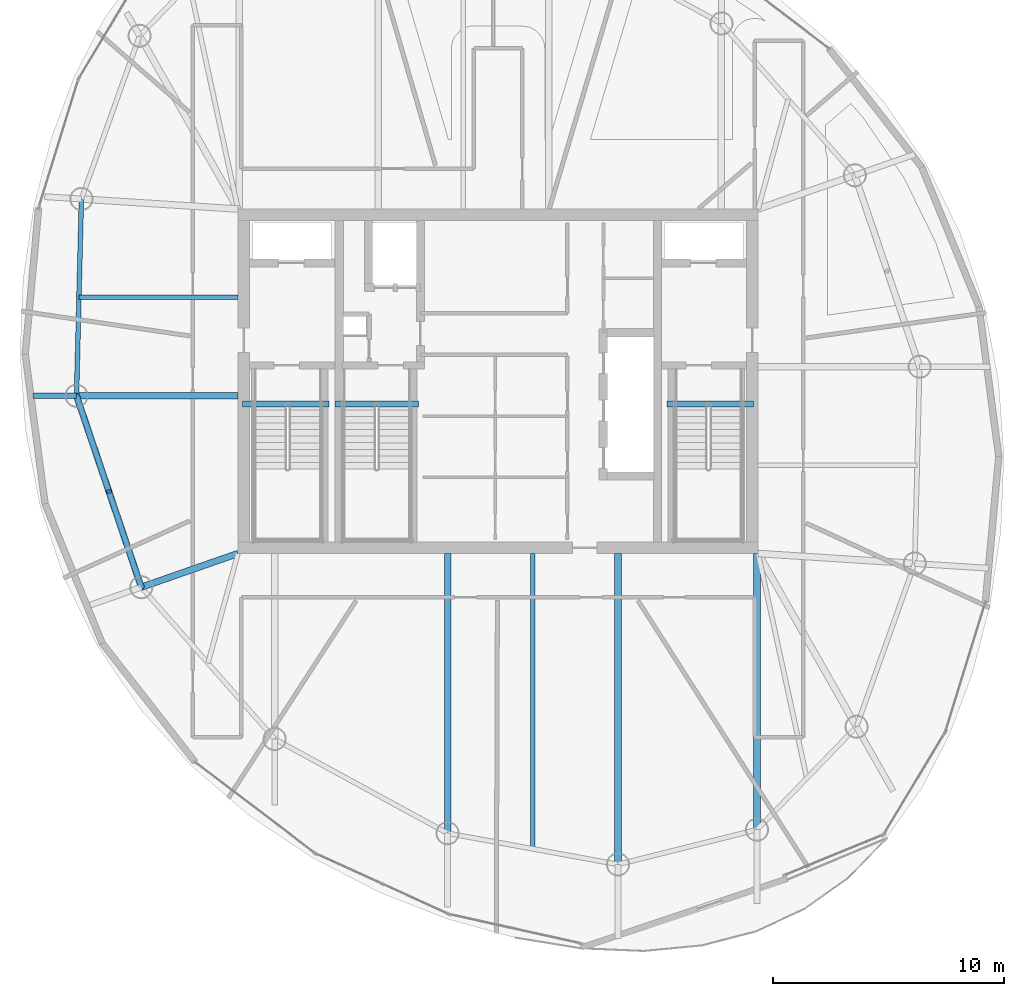
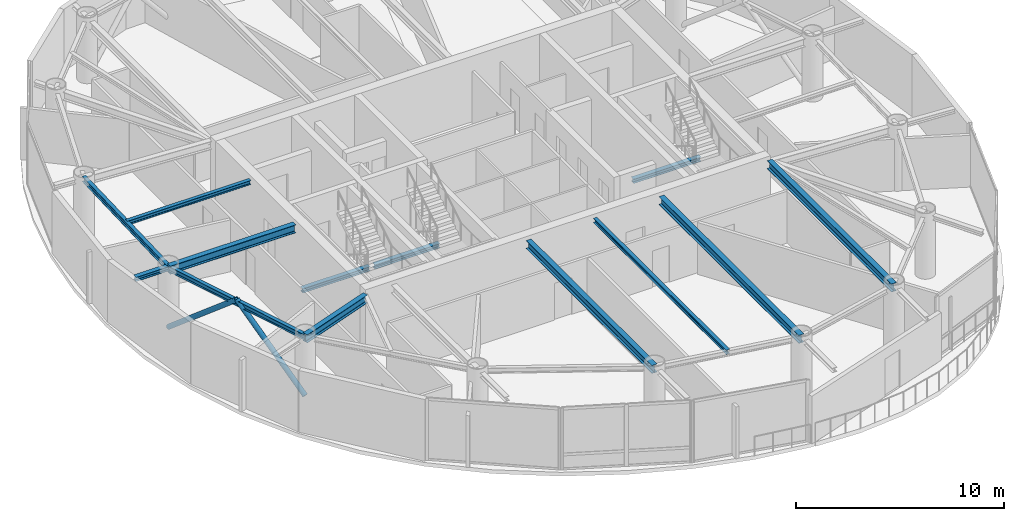
# One storey, part 5 of 19: 13 beams, 2 members.
"""IFC4 building model written with IfcOpenShell, lengths in metres."""

from ifc_helpers import new_model, si_unit, direction, frame, origin, origin_2d, place, context, subcontext, project, spatial, hollow_circle, i_section, extrude, material, material_profile, profile_set, type_object, element, save


model = new_model("IFC4")

# Units and contexts
model_context = context("Model", 3, precision=1e-05, world=origin(), true_north=direction((0.0, 1.0)))
body_context = subcontext(model_context, "Body", "Model", "MODEL_VIEW")
ifc_project = project(units=[si_unit("LENGTHUNIT", "METRE"), si_unit("AREAUNIT", "SQUARE_METRE"), si_unit("VOLUMEUNIT", "CUBIC_METRE"), si_unit("PLANEANGLEUNIT", "RADIAN"), si_unit("MASSUNIT", "GRAM", prefix="KILO")], contexts=[model_context])

# Site, building, storey
site_placement = place(None, origin())
site = spatial("IfcSite", under=ifc_project, at=site_placement, CompositionType="ELEMENT")
building_placement = place(site_placement, origin())
building = spatial("IfcBuilding", under=site, at=building_placement, Name="Bramvorn Convention Spire", CompositionType="ELEMENT")
storey_placement = place(building_placement, frame((0.0, 0.0, 272.85009765625)))
storey = spatial("IfcBuildingStorey", under=building, at=storey_placement, Name="L69", CompositionType="ELEMENT", Elevation=272.85009765625)

# Beams
ifc_material = material(Name="Steel CSA G40.21 Grade 350 (350W)", Category="steel")
ifc_material_profile_1 = material_profile(ifc_material, i_section(OverallWidth=0.201904296875, OverallDepth=0.2470703125, WebThickness=0.00732421875, FlangeThickness=0.010986328125, FilletRadius=0.011962890625, at=origin_2d()))
ifc_profile_set_1 = profile_set([ifc_material_profile_1], Name="Steel CSA G40.21 Grade 350 (350W) - W250X49")
beam_type_1 = type_object("IfcBeamType", Name="BM-W250X49", PredefinedType="JOIST", material=ifc_profile_set_1)
beam_1_placement = place(storey_placement, frame((26.75, 29.626953125, 3.50146484375), z_axis=(-1.0, 0.0, 0.0), x_axis=(0.0, -1.0, 0.0)))
element("IfcBeam", 1, at=beam_1_placement, inside=storey, type_object=beam_type_1, Name="L69 composite floor joist 11", PredefinedType="JOIST", context=body_context, shape_type="SweptSolid", body=[
    extrude(i_section(OverallWidth=0.201904296875, OverallDepth=0.2470703125, WebThickness=0.00732421875, FlangeThickness=0.010986328125, FilletRadius=0.011962890625, at=origin_2d()), origin(), (0.0, 0.0, 1.0), 6.879150390625),
])
beam_2_placement = place(storey_placement, frame((39.501953125, 18.550048828125, 3.50146484375), z_axis=(0.0, -1.0, 0.0), x_axis=(1.0, 0.0, 0.0)))
element("IfcBeam", 2, at=beam_2_placement, inside=storey, type_object=beam_type_1, Name="L69 composite floor joist 15", PredefinedType="JOIST", context=body_context, shape_type="SweptSolid", body=[
    extrude(i_section(OverallWidth=0.201904296875, OverallDepth=0.2470703125, WebThickness=0.00732421875, FlangeThickness=0.010986328125, FilletRadius=0.011962890625, at=origin_2d()), origin(), (0.0, 0.0, 1.0), 12.77587890625),
])
ifc_material_profile_2 = material_profile(ifc_material, i_section(OverallWidth=0.25390625, OverallDepth=0.2529296875, WebThickness=0.008544921875, FlangeThickness=0.01416015625, FilletRadius=0.011962890625, at=origin_2d()))
ifc_profile_set_2 = profile_set([ifc_material_profile_2], Name="Steel CSA G40.21 Grade 350 (350W) - W250X73")
beam_type_2 = type_object("IfcBeamType", Name="BM-W250X73", PredefinedType="BEAM", material=ifc_profile_set_2)
beam_3_placement = place(storey_placement, frame((19.765380859375, 25.37060546875, 3.498291015625), z_axis=(-1.0, 0.0, 0.0), x_axis=(0.0, -1.0, 0.0)))
element("IfcBeam", 3, at=beam_3_placement, inside=storey, type_object=beam_type_2, Name="L69 slab-edge cantilever tip beam MC12", PredefinedType="BEAM", context=body_context, shape_type="SweptSolid", body=[
    extrude(i_section(OverallWidth=0.25390625, OverallDepth=0.2529296875, WebThickness=0.008544921875, FlangeThickness=0.01416015625, FilletRadius=0.011962890625, at=origin_2d()), origin(), (0.0, 0.0, 1.0), 1.88134765625),
])
for number, where, z_axis, x_axis, name in (
    (4, (26.949951171875, 25.010009765625, -0.126708984375), (1.0, 0.0, 0.0), (0.0, 1.0, 0.0), "L69 ST1 stair arrival header beam"),
    (5, (45.31005859375, 25.010009765625, -0.126708984375), (1.0, 0.0, 0.0), (0.0, 1.0, 0.0), "L69 ST2 stair arrival header beam"),
):
    element("IfcBeam", number, at=place(storey_placement, frame(where, z_axis=z_axis, x_axis=x_axis)), inside=storey, type_object=beam_type_2, Name=name, PredefinedType="BEAM", context=body_context, shape_type="SweptSolid", body=[
        extrude(i_section(OverallWidth=0.25390625, OverallDepth=0.2529296875, WebThickness=0.008544921875, FlangeThickness=0.01416015625, FilletRadius=0.011962890625, at=origin_2d()), origin(), (0.0, 0.0, 1.0), 3.739990234375),
    ])
beam_4_placement = place(storey_placement, frame((30.949951171875, 25.010009765625, -0.126708984375), z_axis=(1.0, 0.0, 0.0), x_axis=(0.0, 1.0, 0.0)))
element("IfcBeam", 6, at=beam_4_placement, inside=storey, type_object=beam_type_2, Name="L69 ST3 stair arrival header beam", PredefinedType="BEAM", context=body_context, shape_type="SweptSolid", body=[
    extrude(i_section(OverallWidth=0.25390625, OverallDepth=0.2529296875, WebThickness=0.008544921875, FlangeThickness=0.01416015625, FilletRadius=0.011962890625, at=origin_2d()), origin(), (0.0, 0.0, 1.0), 3.610107421875),
])
ifc_material_profile_3 = material_profile(ifc_material, i_section(OverallWidth=0.202880859375, OverallDepth=0.302978515625, WebThickness=0.007568359375, FlangeThickness=0.01318359375, FilletRadius=0.013916015625, at=origin_2d()))
ifc_profile_set_3 = profile_set([ifc_material_profile_3], Name="Steel CSA G40.21 Grade 350 (350W) - W310X60")
beam_type_3 = type_object("IfcBeamType", Name="BM-W310X60", PredefinedType="JOIST", material=ifc_profile_set_3)
beam_5_placement = place(storey_placement, frame((19.976318359375, 33.883544921875, 3.473388671875), z_axis=(-0.024770853371, -0.999693155335, 0.0), x_axis=(0.999693155335, -0.024770853371, 0.0)))
element("IfcBeam", 7, at=beam_5_placement, inside=storey, type_object=beam_type_3, Name="L69 mega-column ring beam 11", PredefinedType="JOIST", context=body_context, shape_type="SweptSolid", body=[
    extrude(i_section(OverallWidth=0.202880859375, OverallDepth=0.302978515625, WebThickness=0.007568359375, FlangeThickness=0.01318359375, FilletRadius=0.013916015625, at=origin_2d()), origin(), (0.0, 0.0, 1.0), 8.515625),
])
beam_6_placement = place(storey_placement, frame((19.765380859375, 25.37060546875, 3.473388671875), z_axis=(0.320531023763, -0.947238018032, 0.0), x_axis=(0.947238018032, 0.320531023763, 0.0)))
element("IfcBeam", 8, at=beam_6_placement, inside=storey, type_object=beam_type_3, Name="L69 mega-column ring beam 12", PredefinedType="JOIST", context=body_context, shape_type="SweptSolid", body=[
    extrude(i_section(OverallWidth=0.202880859375, OverallDepth=0.302978515625, WebThickness=0.007568359375, FlangeThickness=0.01318359375, FilletRadius=0.013916015625, at=origin_2d()), origin(), (0.0, 0.0, 1.0), 8.74169921875),
])
ifc_material_profile_4 = material_profile(ifc_material, i_section(OverallWidth=0.283935546875, OverallDepth=0.47607421875, WebThickness=0.014892578125, FlangeThickness=0.02392578125, FilletRadius=0.01806640625, at=origin_2d()))
ifc_profile_set_4 = profile_set([ifc_material_profile_4], Name="Steel CSA G40.21 Grade 350 (350W) - W460X158")
beam_type_4 = type_object("IfcBeamType", Name="BM-W460X158", PredefinedType="SPANDREL", material=ifc_profile_set_4)
beam_7_placement = place(storey_placement, frame((49.199951171875, 18.550048828125, 3.386962890625), z_axis=(0.0, -1.0, 0.0), x_axis=(1.0, 0.0, 0.0)))
element("IfcBeam", 9, at=beam_7_placement, inside=storey, type_object=beam_type_4, Name="L69 radial floor girder MC01", PredefinedType="SPANDREL", context=body_context, shape_type="SweptSolid", body=[
    extrude(i_section(OverallWidth=0.283935546875, OverallDepth=0.47607421875, WebThickness=0.014892578125, FlangeThickness=0.02392578125, FilletRadius=0.01806640625, at=origin_2d()), origin(), (0.0, 0.0, 1.0), 11.948974609375),
])
beam_8_placement = place(storey_placement, frame((26.75, 25.37060546875, 3.386962890625), z_axis=(-1.0, 0.0, 0.0), x_axis=(0.0, -1.0, 0.0)))
element("IfcBeam", 10, at=beam_8_placement, inside=storey, type_object=beam_type_4, Name="L69 radial floor girder MC12", PredefinedType="SPANDREL", context=body_context, shape_type="SweptSolid", body=[
    extrude(i_section(OverallWidth=0.283935546875, OverallDepth=0.47607421875, WebThickness=0.014892578125, FlangeThickness=0.02392578125, FilletRadius=0.01806640625, at=origin_2d()), origin(), (0.0, 0.0, 1.0), 6.984619140625),
])
beam_9_placement = place(storey_placement, frame((26.75, 18.550048828125, 3.386962890625), z_axis=(-0.944136391877, -0.329554962843, 0.0), x_axis=(0.329554962843, -0.944136391877, 0.0)))
element("IfcBeam", 11, at=beam_9_placement, inside=storey, type_object=beam_type_4, Name="L69 radial floor girder MC13", PredefinedType="SPANDREL", context=body_context, shape_type="SweptSolid", body=[
    extrude(i_section(OverallWidth=0.283935546875, OverallDepth=0.47607421875, WebThickness=0.014892578125, FlangeThickness=0.02392578125, FilletRadius=0.01806640625, at=origin_2d()), origin(), (0.0, 0.0, 1.0), 4.43017578125),
])
beam_10_placement = place(storey_placement, frame((35.8154296875, 18.550048828125, 3.386962890625), z_axis=(0.0, -1.0, 0.0), x_axis=(1.0, 0.0, 0.0)))
element("IfcBeam", 12, at=beam_10_placement, inside=storey, type_object=beam_type_4, Name="L69 radial floor girder MC15", PredefinedType="SPANDREL", context=body_context, shape_type="SweptSolid", body=[
    extrude(i_section(OverallWidth=0.283935546875, OverallDepth=0.47607421875, WebThickness=0.014892578125, FlangeThickness=0.02392578125, FilletRadius=0.01806640625, at=origin_2d()), origin(), (0.0, 0.0, 1.0), 12.100830078125),
])
beam_11_placement = place(storey_placement, frame((43.1884765625, 18.550048828125, 3.386962890625), z_axis=(0.0, -1.0, 0.0), x_axis=(1.0, 0.0, 0.0)))
element("IfcBeam", 13, at=beam_11_placement, inside=storey, type_object=beam_type_4, Name="L69 radial floor girder MC16", PredefinedType="SPANDREL", context=body_context, shape_type="SweptSolid", body=[
    extrude(i_section(OverallWidth=0.283935546875, OverallDepth=0.47607421875, WebThickness=0.014892578125, FlangeThickness=0.02392578125, FilletRadius=0.01806640625, at=origin_2d()), origin(), (0.0, 0.0, 1.0), 13.450927734375),
])

# Members
ifc_material_profile_5 = material_profile(ifc_material, hollow_circle(Radius=0.136474609375, WallThickness=0.0126953125, at=origin_2d()))
ifc_profile_set_5 = profile_set([ifc_material_profile_5], Name="Steel CSA G40.21 Grade 350 (350W) - CHS273X13")
member_type = type_object("IfcMemberType", Name="MBR-CHS273X13", PredefinedType="BRACE", material=ifc_profile_set_5)
member_1_placement = place(storey_placement, frame((19.765380859375, 25.37060546875, 0.0), z_axis=(0.246737306961, -0.729119705305, 0.638361305759), x_axis=(0.947232407912, 0.320547602394, 0.0)))
element("IfcMember", 14, at=member_1_placement, inside=storey, type_object=member_type, Name="L69 perimeter Gothic lancet brace 12A", PredefinedType="BRACE", context=body_context, shape_type="SweptSolid", body=[
    extrude(hollow_circle(Radius=0.136474609375, WallThickness=0.0126953125, at=origin_2d()), origin(), (0.0, 0.0, 1.0), 5.6787109375),
])
member_2_placement = place(storey_placement, frame((22.5673828125, 17.090087890625, 0.0), z_axis=(-0.246704664157, 0.729107301286, 0.638388088778), x_axis=(-0.947243628259, -0.320514443859, 0.0)))
element("IfcMember", 15, at=member_2_placement, inside=storey, type_object=member_type, Name="L69 perimeter Gothic lancet brace 12B", PredefinedType="BRACE", context=body_context, shape_type="SweptSolid", body=[
    extrude(hollow_circle(Radius=0.136474609375, WallThickness=0.0126953125, at=origin_2d()), origin(), (0.0, 0.0, 1.0), 5.678466796875),
])

save(model, "model.ifc")
